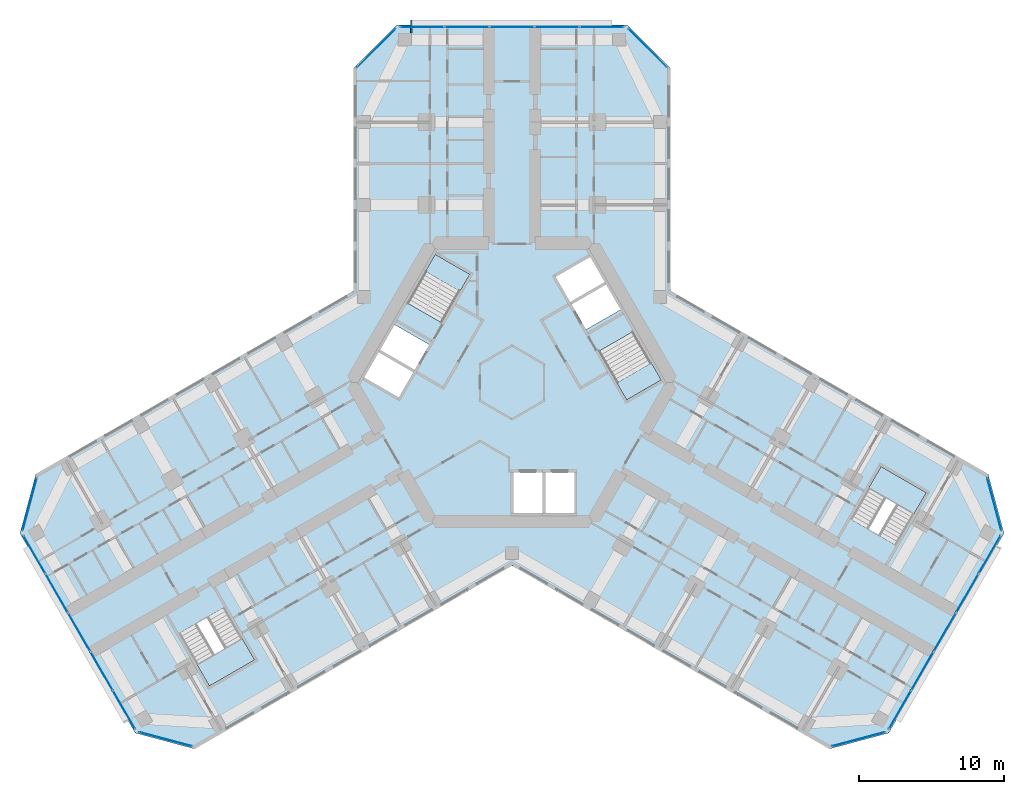
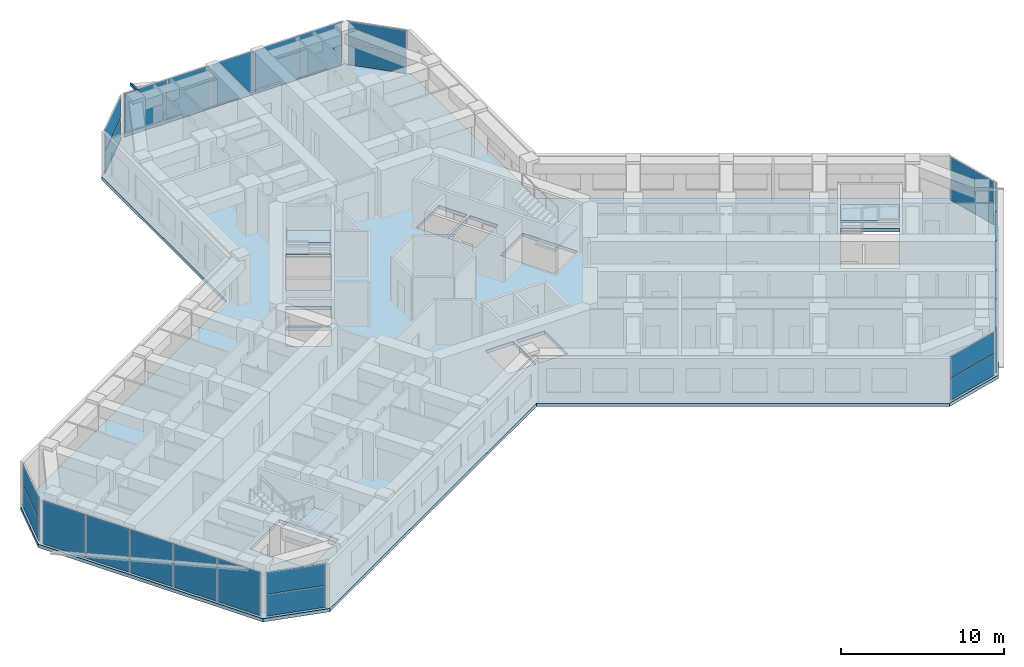
# One storey, part 9 of 19: 27 plates, 5 slabs, 1 member, 13 elements without a shape of their own.
"""IFC4 building model written with IfcOpenShell, lengths in metres."""

from ifc_helpers import new_model, si_unit, direction, frame, origin, origin_2d, place, context, subcontext, project, spatial, polyline, rectangle, hollow_rectangle, outline, extrude, material, layer, layer_set, material_profile, profile_set, type_object, element, aggregate, save


model = new_model("IFC4")

# Units and contexts
model_context = context("Model", 3, precision=1e-05, world=origin(), true_north=direction((0.0, 1.0)))
body_context = subcontext(model_context, "Body", "Model", "MODEL_VIEW")
ifc_project = project(units=[si_unit("LENGTHUNIT", "METRE"), si_unit("AREAUNIT", "SQUARE_METRE"), si_unit("VOLUMEUNIT", "CUBIC_METRE"), si_unit("PLANEANGLEUNIT", "RADIAN"), si_unit("MASSUNIT", "GRAM", prefix="KILO")], contexts=[model_context])

# Site, building, storey
site_placement = place(None, origin())
site = spatial("IfcSite", under=ifc_project, at=site_placement, CompositionType="ELEMENT")
building_placement = place(site_placement, origin())
building = spatial("IfcBuilding", under=site, at=building_placement, Name="Kosmar Iwan School Tower", CompositionType="ELEMENT")
storey_placement = place(building_placement, frame((0.0, 0.0, 161.60009765625)))
storey = spatial("IfcBuildingStorey", under=building, at=storey_placement, Name="L40", CompositionType="ELEMENT", Elevation=161.60009765625)

# Member
ifc_material_1 = material(Name="Steel S355", Category="steel")
ifc_material_profile = material_profile(ifc_material_1, hollow_rectangle(XDim=0.10009765625, YDim=0.199951171875, WallThickness=0.008056640625, at=origin_2d()), Name="RHS 200x100x8")
ifc_profile_set = profile_set([ifc_material_profile], Name="Steel S355")
member_type = type_object("IfcMemberType", Name="Fin bracket RHS 200x100", PredefinedType="USERDEFINED", material=ifc_profile_set)
member_placement = place(storey_placement, frame((-6.949951171875, 24.10009765625, 3.474853515625), z_axis=(0.0, 1.0, 0.0), x_axis=(-1.0, 0.0, 0.0)))
element("IfcMember", 1, at=member_placement, inside=storey, type_object=member_type, Name="Fin bracket L41", ObjectType="FIN BRACKET", PredefinedType="USERDEFINED", context=body_context, shape_type="SweptSolid", body=[
    extrude(hollow_rectangle(XDim=0.10009765625, YDim=0.199951171875, WallThickness=0.008056640625, at=origin_2d()), origin(), (0.0, 0.0, 1.0), 0.89990234375),
])

# Curtain wall, plates
ifc_material_2 = material(Name="Dark glass in black aluminium frame", Category="aluminium")
curtain_wall_type_1 = type_object("IfcCurtainWallType", Name="Chamfer curtain wall dark glass", PredefinedType="USERDEFINED", material=ifc_material_2)
curtain_wall_1_placement = place(storey_placement, origin())
curtain_wall_1 = element("IfcCurtainWall", 2, at=curtain_wall_1_placement, inside=storey, type_object=curtain_wall_type_1, Name="Curtain wall L40-F02", ObjectType="FACETED CURTAIN WALL", PredefinedType="USERDEFINED")
ifc_material_3 = material(Name="Dark glass", Category="glass")
ifc_layer_1 = layer(ifc_material_3, 0.028076171875)
ifc_layer_set_1 = layer_set([ifc_layer_1], Name="Dark glass panel 28")
plate_type = type_object("IfcPlateType", Name="Dark glass panel 28", PredefinedType="CURTAIN_PANEL", material=ifc_layer_set_1)
plate_1_placement = place(storey_placement, frame((23.908203125, -24.61328125, 0.059814453125), z_axis=(0.0, 0.0, 1.0), x_axis=(0.965925875495, 0.258818861462, 0.0)))
plate_1 = element("IfcPlate", 3, at=plate_1_placement, type_object=plate_type, Name="CW2 panel 1.1", PredefinedType="CURTAIN_PANEL", context=body_context, shape_type="SweptSolid", body=[
    extrude(rectangle(XDim=3.718994140625, YDim=0.028076171875, at=origin_2d()), origin(), (0.0, 0.0, 1.0), 1.5849609375),
])
plate_2_placement = place(storey_placement, frame((23.908203125, -24.61328125, 1.704833984375), z_axis=(0.0, 0.0, 1.0), x_axis=(0.965925875495, 0.258818861462, 0.0)))
plate_2 = element("IfcPlate", 4, at=plate_2_placement, type_object=plate_type, Name="CW2 panel 1.2", PredefinedType="CURTAIN_PANEL", context=body_context, shape_type="SweptSolid", body=[
    extrude(rectangle(XDim=3.718994140625, YDim=0.028076171875, at=origin_2d()), origin(), (0.0, 0.0, 1.0), 1.5849609375),
])
aggregate(curtain_wall_1, [plate_1, plate_2])

ifc_material_4 = material(Name="Dark glass in black aluminium frame", Category="aluminium")
curtain_wall_type_2 = type_object("IfcCurtainWallType", Name="Tower curtain wall dark glass", PredefinedType="USERDEFINED", material=ifc_material_4)
curtain_wall_2_placement = place(storey_placement, origin())
curtain_wall_2 = element("IfcCurtainWall", 5, at=curtain_wall_2_placement, inside=storey, type_object=curtain_wall_type_2, Name="Curtain wall L40-F03", ObjectType="UNITISED CURTAIN WALL", PredefinedType="USERDEFINED")
plate_3_placement = place(storey_placement, frame((26.764404296875, -22.592529296875, 0.059814453125), z_axis=(0.0, 0.0, 1.0), x_axis=(0.499999997325, 0.866025405329, 0.0)))
plate_3 = element("IfcPlate", 6, at=plate_3_placement, type_object=plate_type, Name="CW1 panel 1.1", PredefinedType="CURTAIN_PANEL", context=body_context, shape_type="SweptSolid", body=[
    extrude(rectangle(XDim=3.00927734375, YDim=0.028076171875, at=origin_2d()), origin(), (0.0, 0.0, 1.0), 3.22998046875),
])
plate_4_placement = place(storey_placement, frame((28.306640625, -19.921630859375, 0.059814453125), z_axis=(0.0, 0.0, 1.0), x_axis=(0.499999997325, 0.866025405329, 0.0)))
plate_4 = element("IfcPlate", 7, at=plate_4_placement, type_object=plate_type, Name="CW1 panel 2.1", PredefinedType="CURTAIN_PANEL", context=body_context, shape_type="SweptSolid", body=[
    extrude(rectangle(XDim=3.039306640625, YDim=0.028076171875, at=origin_2d()), origin(), (0.0, 0.0, 1.0), 3.22998046875),
])
plate_5_placement = place(storey_placement, frame((29.856201171875, -17.237548828125, 0.059814453125), z_axis=(0.0, 0.0, 1.0), x_axis=(0.499999997325, 0.866025405329, 0.0)))
plate_5 = element("IfcPlate", 8, at=plate_5_placement, type_object=plate_type, Name="CW1 panel 3.1", PredefinedType="CURTAIN_PANEL", context=body_context, shape_type="SweptSolid", body=[
    extrude(rectangle(XDim=3.039306640625, YDim=0.028076171875, at=origin_2d()), origin(), (0.0, 0.0, 1.0), 3.22998046875),
])
plate_6_placement = place(storey_placement, frame((31.40576171875, -14.553466796875, 0.059814453125), z_axis=(0.0, 0.0, 1.0), x_axis=(0.499999997325, 0.866025405329, 0.0)))
plate_6 = element("IfcPlate", 9, at=plate_6_placement, type_object=plate_type, Name="CW1 panel 4.1", PredefinedType="CURTAIN_PANEL", context=body_context, shape_type="SweptSolid", body=[
    extrude(rectangle(XDim=3.039306640625, YDim=0.028076171875, at=origin_2d()), origin(), (0.0, 0.0, 1.0), 3.22998046875),
])
plate_7_placement = place(storey_placement, frame((32.947998046875, -11.88232421875, 0.059814453125), z_axis=(0.0, 0.0, 1.0), x_axis=(0.499999997325, 0.866025405329, 0.0)))
plate_7 = element("IfcPlate", 10, at=plate_7_placement, type_object=plate_type, Name="CW1 panel 5.1", PredefinedType="CURTAIN_PANEL", context=body_context, shape_type="SweptSolid", body=[
    extrude(rectangle(XDim=3.00927734375, YDim=0.028076171875, at=origin_2d()), origin(), (0.0, 0.0, 1.0), 3.22998046875),
])
aggregate(curtain_wall_2, [plate_3, plate_4, plate_5, plate_6, plate_7])

curtain_wall_3_placement = place(storey_placement, origin())
curtain_wall_3 = element("IfcCurtainWall", 11, at=curtain_wall_3_placement, inside=storey, type_object=curtain_wall_type_1, Name="Curtain wall L40-F04", ObjectType="FACETED CURTAIN WALL", PredefinedType="USERDEFINED")
plate_8_placement = place(storey_placement, frame((33.269775390625, -8.3984375, 0.059814453125), z_axis=(0.0, 0.0, 1.0), x_axis=(-0.258818861462, 0.965925875495, 0.0)))
plate_8 = element("IfcPlate", 12, at=plate_8_placement, type_object=plate_type, Name="CW2 panel 1.1", PredefinedType="CURTAIN_PANEL", context=body_context, shape_type="SweptSolid", body=[
    extrude(rectangle(XDim=3.718994140625, YDim=0.028076171875, at=origin_2d()), origin(), (0.0, 0.0, 1.0), 1.5849609375),
])
plate_9_placement = place(storey_placement, frame((33.269775390625, -8.3984375, 1.704833984375), z_axis=(0.0, 0.0, 1.0), x_axis=(-0.258818861462, 0.965925875495, 0.0)))
plate_9 = element("IfcPlate", 13, at=plate_9_placement, type_object=plate_type, Name="CW2 panel 1.2", PredefinedType="CURTAIN_PANEL", context=body_context, shape_type="SweptSolid", body=[
    extrude(rectangle(XDim=3.718994140625, YDim=0.028076171875, at=origin_2d()), origin(), (0.0, 0.0, 1.0), 1.5849609375),
])
aggregate(curtain_wall_3, [plate_8, plate_9])

curtain_wall_4_placement = place(storey_placement, origin())
curtain_wall_4 = element("IfcCurtainWall", 14, at=curtain_wall_4_placement, inside=storey, type_object=curtain_wall_type_1, Name="Curtain wall L40-F07", ObjectType="FACETED CURTAIN WALL", PredefinedType="USERDEFINED")
plate_10_placement = place(storey_placement, frame((9.361572265625, 23.0615234375, 0.059814453125), z_axis=(0.0, 0.0, 1.0), x_axis=(-0.707106781187, 0.707106781187, 0.0)))
plate_10 = element("IfcPlate", 15, at=plate_10_placement, type_object=plate_type, Name="CW2 panel 1.1", PredefinedType="CURTAIN_PANEL", context=body_context, shape_type="SweptSolid", body=[
    extrude(rectangle(XDim=3.718994140625, YDim=0.028076171875, at=origin_2d()), origin(), (0.0, 0.0, 1.0), 1.5849609375),
])
plate_11_placement = place(storey_placement, frame((9.361572265625, 23.0615234375, 1.704833984375), z_axis=(0.0, 0.0, 1.0), x_axis=(-0.707106781187, 0.707106781187, 0.0)))
plate_11 = element("IfcPlate", 16, at=plate_11_placement, type_object=plate_type, Name="CW2 panel 1.2", PredefinedType="CURTAIN_PANEL", context=body_context, shape_type="SweptSolid", body=[
    extrude(rectangle(XDim=3.718994140625, YDim=0.028076171875, at=origin_2d()), origin(), (0.0, 0.0, 1.0), 1.5849609375),
])
aggregate(curtain_wall_4, [plate_10, plate_11])

curtain_wall_5_placement = place(storey_placement, origin())
curtain_wall_5 = element("IfcCurtainWall", 17, at=curtain_wall_5_placement, inside=storey, type_object=curtain_wall_type_2, Name="Curtain wall L40-F08", ObjectType="UNITISED CURTAIN WALL", PredefinedType="USERDEFINED")
plate_12_placement = place(storey_placement, frame((6.18359375, 24.52490234375, 0.059814453125), z_axis=(0.0, 0.0, 1.0), x_axis=(-1.0, 0.0, 0.0)))
plate_12 = element("IfcPlate", 18, at=plate_12_placement, type_object=plate_type, Name="CW1 panel 1.1", PredefinedType="CURTAIN_PANEL", context=body_context, shape_type="SweptSolid", body=[
    extrude(rectangle(XDim=3.00927734375, YDim=0.028076171875, at=origin_2d()), origin(), (0.0, 0.0, 1.0), 3.22998046875),
])
plate_13_placement = place(storey_placement, frame((3.099365234375, 24.52490234375, 0.059814453125), z_axis=(0.0, 0.0, 1.0), x_axis=(-1.0, 0.0, 0.0)))
plate_13 = element("IfcPlate", 19, at=plate_13_placement, type_object=plate_type, Name="CW1 panel 2.1", PredefinedType="CURTAIN_PANEL", context=body_context, shape_type="SweptSolid", body=[
    extrude(rectangle(XDim=3.039306640625, YDim=0.028076171875, at=origin_2d()), origin(), (0.0, 0.0, 1.0), 3.22998046875),
])
plate_14_placement = place(storey_placement, frame((0.0, 24.52490234375, 0.059814453125), z_axis=(0.0, 0.0, 1.0), x_axis=(-1.0, 0.0, 0.0)))
plate_14 = element("IfcPlate", 20, at=plate_14_placement, type_object=plate_type, Name="CW1 panel 3.1", PredefinedType="CURTAIN_PANEL", context=body_context, shape_type="SweptSolid", body=[
    extrude(rectangle(XDim=3.039306640625, YDim=0.028076171875, at=origin_2d()), origin(), (0.0, 0.0, 1.0), 3.22998046875),
])
plate_15_placement = place(storey_placement, frame((-3.099365234375, 24.52490234375, 0.059814453125), z_axis=(0.0, 0.0, 1.0), x_axis=(-1.0, 0.0, 0.0)))
plate_15 = element("IfcPlate", 21, at=plate_15_placement, type_object=plate_type, Name="CW1 panel 4.1", PredefinedType="CURTAIN_PANEL", context=body_context, shape_type="SweptSolid", body=[
    extrude(rectangle(XDim=3.039306640625, YDim=0.028076171875, at=origin_2d()), origin(), (0.0, 0.0, 1.0), 3.22998046875),
])
plate_16_placement = place(storey_placement, frame((-6.18359375, 24.52490234375, 0.059814453125), z_axis=(0.0, 0.0, 1.0), x_axis=(-1.0, 0.0, 0.0)))
plate_16 = element("IfcPlate", 22, at=plate_16_placement, type_object=plate_type, Name="CW1 panel 5.1", PredefinedType="CURTAIN_PANEL", context=body_context, shape_type="SweptSolid", body=[
    extrude(rectangle(XDim=3.00927734375, YDim=0.028076171875, at=origin_2d()), origin(), (0.0, 0.0, 1.0), 3.22998046875),
])
aggregate(curtain_wall_5, [plate_12, plate_13, plate_14, plate_15, plate_16])

curtain_wall_6_placement = place(storey_placement, origin())
curtain_wall_6 = element("IfcCurtainWall", 23, at=curtain_wall_6_placement, inside=storey, type_object=curtain_wall_type_1, Name="Curtain wall L40-F09", ObjectType="FACETED CURTAIN WALL", PredefinedType="USERDEFINED")
plate_17_placement = place(storey_placement, frame((-9.361572265625, 23.0615234375, 0.059814453125), z_axis=(0.0, 0.0, 1.0), x_axis=(-0.707106781187, -0.707106781187, 0.0)))
plate_17 = element("IfcPlate", 24, at=plate_17_placement, type_object=plate_type, Name="CW2 panel 1.1", PredefinedType="CURTAIN_PANEL", context=body_context, shape_type="SweptSolid", body=[
    extrude(rectangle(XDim=3.718994140625, YDim=0.028076171875, at=origin_2d()), origin(), (0.0, 0.0, 1.0), 1.5849609375),
])
plate_18_placement = place(storey_placement, frame((-9.361572265625, 23.0615234375, 1.704833984375), z_axis=(0.0, 0.0, 1.0), x_axis=(-0.707106781187, -0.707106781187, 0.0)))
plate_18 = element("IfcPlate", 25, at=plate_18_placement, type_object=plate_type, Name="CW2 panel 1.2", PredefinedType="CURTAIN_PANEL", context=body_context, shape_type="SweptSolid", body=[
    extrude(rectangle(XDim=3.718994140625, YDim=0.028076171875, at=origin_2d()), origin(), (0.0, 0.0, 1.0), 1.5849609375),
])
aggregate(curtain_wall_6, [plate_17, plate_18])

curtain_wall_7_placement = place(storey_placement, origin())
curtain_wall_7 = element("IfcCurtainWall", 26, at=curtain_wall_7_placement, inside=storey, type_object=curtain_wall_type_1, Name="Curtain wall L40-F12", ObjectType="FACETED CURTAIN WALL", PredefinedType="USERDEFINED")
plate_19_placement = place(storey_placement, frame((-33.269775390625, -8.3984375, 0.059814453125), z_axis=(0.0, 0.0, 1.0), x_axis=(-0.258818861462, -0.965925875495, 0.0)))
plate_19 = element("IfcPlate", 27, at=plate_19_placement, type_object=plate_type, Name="CW2 panel 1.1", PredefinedType="CURTAIN_PANEL", context=body_context, shape_type="SweptSolid", body=[
    extrude(rectangle(XDim=3.718994140625, YDim=0.028076171875, at=origin_2d()), origin(), (0.0, 0.0, 1.0), 1.5849609375),
])
plate_20_placement = place(storey_placement, frame((-33.269775390625, -8.3984375, 1.704833984375), z_axis=(0.0, 0.0, 1.0), x_axis=(-0.258818861462, -0.965925875495, 0.0)))
plate_20 = element("IfcPlate", 28, at=plate_20_placement, type_object=plate_type, Name="CW2 panel 1.2", PredefinedType="CURTAIN_PANEL", context=body_context, shape_type="SweptSolid", body=[
    extrude(rectangle(XDim=3.718994140625, YDim=0.028076171875, at=origin_2d()), origin(), (0.0, 0.0, 1.0), 1.5849609375),
])
aggregate(curtain_wall_7, [plate_19, plate_20])

curtain_wall_8_placement = place(storey_placement, origin())
curtain_wall_8 = element("IfcCurtainWall", 29, at=curtain_wall_8_placement, inside=storey, type_object=curtain_wall_type_2, Name="Curtain wall L40-F13", ObjectType="UNITISED CURTAIN WALL", PredefinedType="USERDEFINED")
plate_21_placement = place(storey_placement, frame((-32.947998046875, -11.88232421875, 0.059814453125), z_axis=(0.0, 0.0, 1.0), x_axis=(0.499999997325, -0.866025405329, 0.0)))
plate_21 = element("IfcPlate", 30, at=plate_21_placement, type_object=plate_type, Name="CW1 panel 1.1", PredefinedType="CURTAIN_PANEL", context=body_context, shape_type="SweptSolid", body=[
    extrude(rectangle(XDim=3.00927734375, YDim=0.028076171875, at=origin_2d()), origin(), (0.0, 0.0, 1.0), 3.22998046875),
])
plate_22_placement = place(storey_placement, frame((-31.40576171875, -14.553466796875, 0.059814453125), z_axis=(0.0, 0.0, 1.0), x_axis=(0.499999997325, -0.866025405329, 0.0)))
plate_22 = element("IfcPlate", 31, at=plate_22_placement, type_object=plate_type, Name="CW1 panel 2.1", PredefinedType="CURTAIN_PANEL", context=body_context, shape_type="SweptSolid", body=[
    extrude(rectangle(XDim=3.039306640625, YDim=0.028076171875, at=origin_2d()), origin(), (0.0, 0.0, 1.0), 3.22998046875),
])
plate_23_placement = place(storey_placement, frame((-29.856201171875, -17.237548828125, 0.059814453125), z_axis=(0.0, 0.0, 1.0), x_axis=(0.499999997325, -0.866025405329, 0.0)))
plate_23 = element("IfcPlate", 32, at=plate_23_placement, type_object=plate_type, Name="CW1 panel 3.1", PredefinedType="CURTAIN_PANEL", context=body_context, shape_type="SweptSolid", body=[
    extrude(rectangle(XDim=3.039306640625, YDim=0.028076171875, at=origin_2d()), origin(), (0.0, 0.0, 1.0), 3.22998046875),
])
plate_24_placement = place(storey_placement, frame((-28.306640625, -19.921630859375, 0.059814453125), z_axis=(0.0, 0.0, 1.0), x_axis=(0.499999997325, -0.866025405329, 0.0)))
plate_24 = element("IfcPlate", 33, at=plate_24_placement, type_object=plate_type, Name="CW1 panel 4.1", PredefinedType="CURTAIN_PANEL", context=body_context, shape_type="SweptSolid", body=[
    extrude(rectangle(XDim=3.039306640625, YDim=0.028076171875, at=origin_2d()), origin(), (0.0, 0.0, 1.0), 3.22998046875),
])
plate_25_placement = place(storey_placement, frame((-26.764404296875, -22.592529296875, 0.059814453125), z_axis=(0.0, 0.0, 1.0), x_axis=(0.499999997325, -0.866025405329, 0.0)))
plate_25 = element("IfcPlate", 34, at=plate_25_placement, type_object=plate_type, Name="CW1 panel 5.1", PredefinedType="CURTAIN_PANEL", context=body_context, shape_type="SweptSolid", body=[
    extrude(rectangle(XDim=3.00927734375, YDim=0.028076171875, at=origin_2d()), origin(), (0.0, 0.0, 1.0), 3.22998046875),
])
aggregate(curtain_wall_8, [plate_21, plate_22, plate_23, plate_24, plate_25])

curtain_wall_9_placement = place(storey_placement, origin())
curtain_wall_9 = element("IfcCurtainWall", 35, at=curtain_wall_9_placement, inside=storey, type_object=curtain_wall_type_1, Name="Curtain wall L40-F14", ObjectType="FACETED CURTAIN WALL", PredefinedType="USERDEFINED")
plate_26_placement = place(storey_placement, frame((-23.908203125, -24.61328125, 0.059814453125), z_axis=(0.0, 0.0, 1.0), x_axis=(0.965925875495, -0.258818861462, 0.0)))
plate_26 = element("IfcPlate", 36, at=plate_26_placement, type_object=plate_type, Name="CW2 panel 1.1", PredefinedType="CURTAIN_PANEL", context=body_context, shape_type="SweptSolid", body=[
    extrude(rectangle(XDim=3.718994140625, YDim=0.028076171875, at=origin_2d()), origin(), (0.0, 0.0, 1.0), 1.5849609375),
])
plate_27_placement = place(storey_placement, frame((-23.908203125, -24.61328125, 1.704833984375), z_axis=(0.0, 0.0, 1.0), x_axis=(0.965925875495, -0.258818861462, 0.0)))
plate_27 = element("IfcPlate", 37, at=plate_27_placement, type_object=plate_type, Name="CW2 panel 1.2", PredefinedType="CURTAIN_PANEL", context=body_context, shape_type="SweptSolid", body=[
    extrude(rectangle(XDim=3.718994140625, YDim=0.028076171875, at=origin_2d()), origin(), (0.0, 0.0, 1.0), 1.5849609375),
])
aggregate(curtain_wall_9, [plate_26, plate_27])

# Stair, slab
ifc_material_5 = material(Name="Concrete C35/45", Category="concrete")
stair_type_1 = type_object("IfcStairType", Name="Escape stair 3600", PredefinedType="HALF_TURN_STAIR", material=ifc_material_5)
stair_1_placement = place(storey_placement, origin())
stair_1 = element("IfcStair", 38, at=stair_1_placement, inside=storey, type_object=stair_type_1, Name="Stair WS2 L40", PredefinedType="HALF_TURN_STAIR")
ifc_material_6 = material(Name="Concrete C35/45", Category="concrete")
ifc_layer_2 = layer(ifc_material_6, 0.199951171875)
ifc_layer_set_2 = layer_set([ifc_layer_2], Name="Escape stair landing 200")
slab_type_1 = type_object("IfcSlabType", Name="Escape stair landing 200", PredefinedType="LANDING", material=ifc_layer_set_2)
slab_1_placement = place(storey_placement, frame((0.0, 0.0, 1.599853515625)))
slab_1 = element("IfcSlab", 39, at=slab_1_placement, type_object=slab_type_1, Name="WS2 landing 1", PredefinedType="LANDING", context=body_context, shape_type="SweptSolid", body=[
    extrude(outline(polyline([(-18.607421875, -17.671142578125), (-21.72509765625, -19.47119140625), (-20.875, -20.943359375), (-17.75732421875, -19.143310546875), (-18.607421875, -17.671142578125)])), origin(), (0.0, 0.0, 1.0), 0.199951171875),
])
aggregate(stair_1, [slab_1])

stair_2_placement = place(storey_placement, origin())
stair_2 = element("IfcStair", 40, at=stair_2_placement, inside=storey, type_object=stair_type_1, Name="Stair WS3 L40", PredefinedType="HALF_TURN_STAIR")
slab_2_placement = place(storey_placement, frame((0.0, 0.0, 1.599853515625)))
slab_2 = element("IfcSlab", 41, at=slab_2_placement, type_object=slab_type_1, Name="WS3 landing 1", PredefinedType="LANDING", context=body_context, shape_type="SweptSolid", body=[
    extrude(outline(polyline([(24.607421875, -7.27880859375), (27.72509765625, -9.078857421875), (28.574951171875, -7.606689453125), (25.457275390625, -5.806640625), (24.607421875, -7.27880859375)])), origin(), (0.0, 0.0, 1.0), 0.199951171875),
])
aggregate(stair_2, [slab_2])

# Slab
ifc_material_7 = material(Name="Concrete C35/45", Category="concrete")
ifc_layer_3 = layer(ifc_material_7, 0.25)
ifc_layer_set_3 = layer_set([ifc_layer_3], Name="Floor slab 250")
slab_type_2 = type_object("IfcSlabType", Name="Floor slab 250", PredefinedType="FLOOR", material=ifc_layer_set_3)
slab_3_placement = place(storey_placement, frame((0.0, 0.0, -0.25)))
element("IfcSlab", 42, at=slab_3_placement, inside=storey, type_object=slab_type_2, Name="L40 floor slab", PredefinedType="FLOOR", context=body_context, shape_type="SweptSolid", body=[
    extrude(outline(polyline([(-21.891357421875, -25.282958984375), (0.0, -12.64404296875), (21.891357421875, -25.282958984375), (25.989501953125, -24.184814453125), (33.939453125, -10.4150390625), (32.84130859375, -6.317138671875), (10.949951171875, 6.322021484375), (10.949951171875, 21.64990234375), (7.949951171875, 24.64990234375), (-7.949951171875, 24.64990234375), (-10.949951171875, 21.64990234375), (-10.949951171875, 6.322021484375), (-32.84130859375, -6.317138671875), (-33.939453125, -10.4150390625), (-25.989501953125, -24.184814453125), (-21.891357421875, -25.282958984375)]), holes=[polyline([(7.91259765625, -1.205078125), (10.294189453125, 0.169921875), (8.3642578125, 3.5126953125), (5.982666015625, 2.1376953125), (7.91259765625, -1.205078125)]), polyline([(-2.91259765625, 7.455078125), (-5.294189453125, 8.830078125), (-7.22412109375, 5.4873046875), (-4.8427734375, 4.1123046875), (-2.91259765625, 7.455078125)]), polyline([(-5.712646484375, 2.60546875), (-8.09423828125, 3.98046875), (-9.09423828125, 2.248291015625), (-6.712646484375, 0.873291015625), (-5.712646484375, 2.60546875)]), polyline([(-6.812744140625, 0.7001953125), (-9.1943359375, 2.0751953125), (-10.1943359375, 0.343017578125), (-7.812744140625, -1.031982421875), (-6.812744140625, 0.7001953125)]), polyline([(5.112548828125, 3.64453125), (7.494140625, 5.01953125), (6.494140625, 6.751708984375), (4.112548828125, 5.376708984375), (5.112548828125, 3.64453125)]), polyline([(4.0126953125, 5.5498046875), (6.394287109375, 6.9248046875), (5.394287109375, 8.656982421875), (3.0126953125, 7.281982421875), (4.0126953125, 5.5498046875)]), polyline([(0.10009765625, -6.199951171875), (0.10009765625, -9.0), (2.10009765625, -9.0), (2.10009765625, -6.199951171875), (0.10009765625, -6.199951171875)]), polyline([(2.300048828125, -6.199951171875), (2.300048828125, -9.0), (4.300048828125, -9.0), (4.300048828125, -6.199951171875), (2.300048828125, -6.199951171875)]), polyline([(-19.847412109375, -15.5234375), (-22.965087890625, -17.323486328125), (-20.875, -20.943359375), (-17.75732421875, -19.143310546875), (-19.847412109375, -15.5234375)]), polyline([(23.367431640625, -9.426513671875), (26.485107421875, -11.2265625), (28.574951171875, -7.606689453125), (25.457275390625, -5.806640625), (23.367431640625, -9.426513671875)])]), origin(), (0.0, 0.0, 1.0), 0.25),
])

# Stair, slab
ifc_material_8 = material(Name="Concrete C35/45", Category="concrete")
stair_type_2 = type_object("IfcStairType", Name="Core stair 2750", PredefinedType="HALF_TURN_STAIR", material=ifc_material_8)
stair_3_placement = place(storey_placement, origin())
stair_3 = element("IfcStair", 43, at=stair_3_placement, inside=storey, type_object=stair_type_2, Name="Stair ST2 L40", PredefinedType="HALF_TURN_STAIR")
ifc_material_9 = material(Name="Concrete C35/45", Category="concrete")
ifc_layer_4 = layer(ifc_material_9, 0.199951171875)
ifc_layer_set_4 = layer_set([ifc_layer_4], Name="Stair landing 200")
slab_type_3 = type_object("IfcSlabType", Name="Stair landing 200", PredefinedType="LANDING", material=ifc_layer_set_4)
slab_4_placement = place(storey_placement, frame((0.0, 0.0, 1.599853515625)))
slab_4 = element("IfcSlab", 44, at=slab_4_placement, type_object=slab_type_3, Name="ST2 landing 1", PredefinedType="LANDING", context=body_context, shape_type="SweptSolid", body=[
    extrude(outline(polyline([(-2.91259765625, 7.455078125), (-5.294189453125, 8.830078125), (-5.97412109375, 7.65234375), (-3.5927734375, 6.27734375), (-2.91259765625, 7.455078125)])), origin(), (0.0, 0.0, 1.0), 0.199951171875),
])
aggregate(stair_3, [slab_4])

stair_4_placement = place(storey_placement, origin())
stair_4 = element("IfcStair", 45, at=stair_4_placement, inside=storey, type_object=stair_type_2, Name="Stair ST1 L40", PredefinedType="HALF_TURN_STAIR")
slab_5_placement = place(storey_placement, frame((0.0, 0.0, 1.599853515625)))
slab_5 = element("IfcSlab", 46, at=slab_5_placement, type_object=slab_type_3, Name="ST1 landing 1", PredefinedType="LANDING", context=body_context, shape_type="SweptSolid", body=[
    extrude(outline(polyline([(7.91259765625, -1.205078125), (10.294189453125, 0.169921875), (9.6142578125, 1.34765625), (7.232666015625, -0.02734375), (7.91259765625, -1.205078125)])), origin(), (0.0, 0.0, 1.0), 0.199951171875),
])
aggregate(stair_4, [slab_5])

save(model, "model.ifc")
